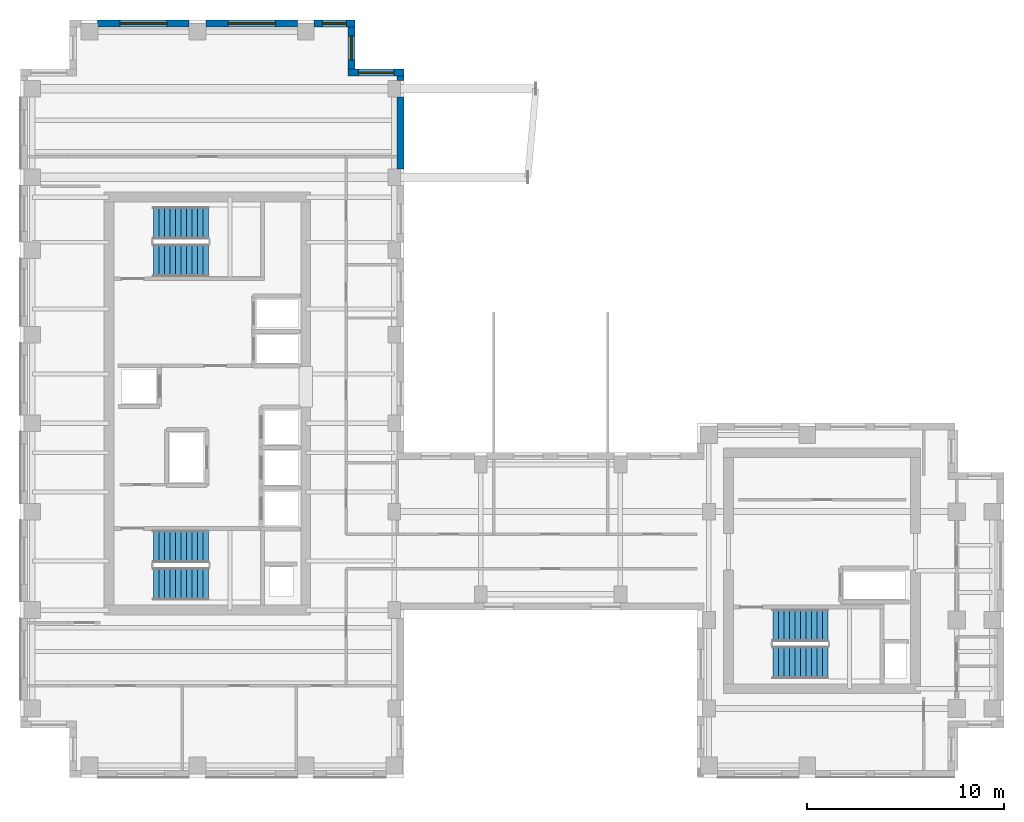
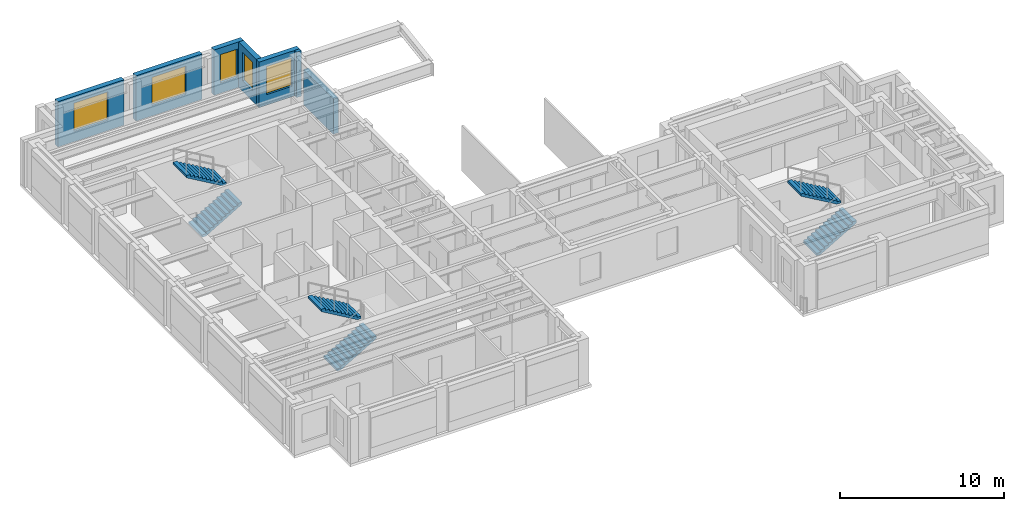
# One storey, part 9 of 11: 7 walls, 6 stair flights, 5 windows, 5 openings, 3 elements without a shape of their own.
"""IFC4 building model written with IfcOpenShell, lengths in metres."""

from ifc_helpers import new_model, si_unit, direction, frame, frame_2d, origin, place, context, subcontext, project, spatial, polyline, rectangle, outline, extrude, source, transform, mapped, material, layer, layer_set, type_object, element, fill, aggregate, save


model = new_model("IFC4")

# Units and contexts
model_context = context("Model", 3, precision=1e-05, world=origin(), true_north=direction((0.0, 1.0)))
body_context = subcontext(model_context, "Body", "Model", "MODEL_VIEW")
ifc_project = project(units=[si_unit("LENGTHUNIT", "METRE"), si_unit("AREAUNIT", "SQUARE_METRE"), si_unit("VOLUMEUNIT", "CUBIC_METRE"), si_unit("PLANEANGLEUNIT", "RADIAN"), si_unit("MASSUNIT", "GRAM", prefix="KILO")], contexts=[model_context])

# Site, building, storey
site_placement = place(None, origin())
site = spatial("IfcSite", under=ifc_project, at=site_placement, CompositionType="ELEMENT")
building_placement = place(site_placement, origin())
building = spatial("IfcBuilding", under=site, at=building_placement, Name="Kharzan Plaza Tower", CompositionType="ELEMENT")
storey_placement = place(building_placement, frame((0.0, 0.0, 234.0)))
storey = spatial("IfcBuildingStorey", under=building, at=storey_placement, Name="L63", CompositionType="ELEMENT", Elevation=234.0)

# Wall, opening, window
ifc_material_1 = material(Name="Concrete C40/50", Category="concrete")
ifc_layer = layer(ifc_material_1, 0.35009765625)
ifc_layer_set = layer_set([ifc_layer], Name="Concrete C40/50")
wall_type = type_object("IfcWallType", Name="WL-EXT-MAS-Z4", PredefinedType="SOLIDWALL", material=ifc_layer_set)
wall_1_placement = place(storey_placement, frame((19.5, 35.824951171875, 0.0), z_axis=(0.0, 0.0, 1.0), x_axis=(-1.0, 0.0, 0.0)))
wall_1 = element("IfcWall", 1, at=wall_1_placement, inside=storey, type_object=wall_type, Name="L63 Masonry-Frame Exterior Wall 07", PredefinedType="SOLIDWALL", context=body_context, shape_type="SweptSolid", body=[
    extrude(rectangle(XDim=2.85009765625, YDim=0.35009765625, at=frame_2d((1.425048828125, 0.0))), origin(), (0.0, 0.0, 1.0), 3.385009765625),
])
opening_1_placement = place(wall_1_placement, frame((0.52490234375, 0.0, 0.780029296875)))
opening_1 = element("IfcOpeningElement", 2, at=opening_1_placement, cuts=wall_1, Name="Opening W1", PredefinedType="OPENING", context=body_context, shape_type="SweptSolid", body=[
    extrude(rectangle(XDim=1.800048828125, YDim=2.10009765625, at=frame_2d((0.89990234375, 1.050048828125))), frame((0.0, 0.18505859375, 0.0), z_axis=(0.0, -1.0, 0.0), x_axis=(1.0, 0.0, 0.0)), (0.0, 0.0, 1.0), 0.3701171875),
])
ifc_material_2 = material(Name="Low-E Double Glazing", Category="glass")
window_type_1 = type_object("IfcWindowType", Name="WN-REC-1800x2100", PartitioningType="SINGLE_PANEL", PredefinedType="WINDOW", material=ifc_material_2)
shared_shape_1 = source(origin(), body_context, "Body", "SweptSolid", [
    extrude(rectangle(XDim=1.800048828125, YDim=2.10009765625, at=frame_2d((0.89990234375, 1.050048828125))), frame((0.0, 0.030029296875, 0.0), z_axis=(0.0, -1.0, 0.0), x_axis=(1.0, 0.0, 0.0)), (0.0, 0.0, 1.0), 0.06005859375),
])
window_1_placement = place(opening_1_placement, origin())
window_1 = element("IfcWindow", 3, at=window_1_placement, inside=storey, type_object=window_type_1, Name="L63 Recessed Solar-Control Window 07-1", OverallHeight=2.10009765625, OverallWidth=1.800048828125, PartitioningType="SINGLE_PANEL", PredefinedType="WINDOW", context=body_context, shape_type="MappedRepresentation", body=[
    mapped(shared_shape_1, transform((0.0, 0.0, 0.0), x_axis=(1.0, 0.0, 0.0), y_axis=(0.0, 1.0, 0.0), z_axis=(0.0, 0.0, 1.0))),
])
fill(opening_1, window_1)

wall_2_placement = place(storey_placement, frame((16.824951171875, 35.998046875, 0.0), z_axis=(0.0, 0.0, 1.0), x_axis=(0.0, 1.0, 0.0)))
wall_2 = element("IfcWall", 4, at=wall_2_placement, inside=storey, type_object=wall_type, Name="L63 Masonry-Frame Exterior Wall 08", PredefinedType="SOLIDWALL", context=body_context, shape_type="SweptSolid", body=[
    extrude(rectangle(XDim=2.154052734375, YDim=0.35009765625, at=frame_2d((1.0771484375, 0.0))), origin(), (0.0, 0.0, 1.0), 3.385009765625),
])
opening_2_placement = place(wall_2_placement, frame((0.47705078125, 0.0, 0.780029296875)))
opening_2 = element("IfcOpeningElement", 5, at=opening_2_placement, cuts=wall_2, Name="Opening W3", PredefinedType="OPENING", context=body_context, shape_type="SweptSolid", body=[
    extrude(rectangle(XDim=1.199951171875, YDim=2.10009765625, at=frame_2d((0.60009765625, 1.050048828125))), frame((0.0, 0.18505859375, 0.0), z_axis=(0.0, -1.0, 0.0), x_axis=(1.0, 0.0, 0.0)), (0.0, 0.0, 1.0), 0.3701171875),
])
window_type_2 = type_object("IfcWindowType", Name="WN-REC-1200x2100", PartitioningType="SINGLE_PANEL", PredefinedType="WINDOW", material=ifc_material_2)
shared_shape_2 = source(origin(), body_context, "Body", "SweptSolid", [
    extrude(rectangle(XDim=1.199951171875, YDim=2.10009765625, at=frame_2d((0.60009765625, 1.050048828125))), frame((0.0, 0.030029296875, 0.0), z_axis=(0.0, -1.0, 0.0), x_axis=(1.0, 0.0, 0.0)), (0.0, 0.0, 1.0), 0.06005859375),
])
window_2_placement = place(opening_2_placement, origin())
window_2 = element("IfcWindow", 6, at=window_2_placement, inside=storey, type_object=window_type_2, Name="L63 Recessed Solar-Control Window 08-1", OverallHeight=2.10009765625, OverallWidth=1.199951171875, PartitioningType="SINGLE_PANEL", PredefinedType="WINDOW", context=body_context, shape_type="MappedRepresentation", body=[
    mapped(shared_shape_2, transform((0.0, 0.0, 0.0), x_axis=(1.0, 0.0, 0.0), y_axis=(0.0, 1.0, 0.0), z_axis=(0.0, 0.0, 1.0))),
])
fill(opening_2, window_2)

wall_3_placement = place(storey_placement, frame((17.0, 38.324951171875, 0.0), z_axis=(0.0, 0.0, 1.0), x_axis=(-1.0, 0.0, 0.0)))
wall_3 = element("IfcWall", 7, at=wall_3_placement, inside=storey, type_object=wall_type, Name="L63 Masonry-Frame Exterior Wall 09", PredefinedType="SOLIDWALL", context=body_context, shape_type="SweptSolid", body=[
    extrude(rectangle(XDim=2.076904296875, YDim=0.35009765625, at=frame_2d((1.03857421875, 0.0))), origin(), (0.0, 0.0, 1.0), 3.385009765625),
])
opening_3_placement = place(wall_3_placement, frame((0.4384765625, 0.0, 0.780029296875)))
opening_3 = element("IfcOpeningElement", 8, at=opening_3_placement, cuts=wall_3, Name="Opening W3", PredefinedType="OPENING", context=body_context, shape_type="SweptSolid", body=[
    extrude(rectangle(XDim=1.199951171875, YDim=2.10009765625, at=frame_2d((0.60009765625, 1.050048828125))), frame((0.0, 0.18505859375, 0.0), z_axis=(0.0, -1.0, 0.0), x_axis=(1.0, 0.0, 0.0)), (0.0, 0.0, 1.0), 0.3701171875),
])
window_3_placement = place(opening_3_placement, origin())
window_3 = element("IfcWindow", 9, at=window_3_placement, inside=storey, type_object=window_type_2, Name="L63 Recessed Solar-Control Window 09-1", OverallHeight=2.10009765625, OverallWidth=1.199951171875, PartitioningType="SINGLE_PANEL", PredefinedType="WINDOW", context=body_context, shape_type="MappedRepresentation", body=[
    mapped(shared_shape_2, transform((0.0, 0.0, 0.0), x_axis=(1.0, 0.0, 0.0), y_axis=(0.0, 1.0, 0.0), z_axis=(0.0, 0.0, 1.0))),
])
fill(opening_3, window_3)

wall_4_placement = place(storey_placement, frame((14.076904296875, 38.324951171875, 0.0), z_axis=(0.0, 0.0, 1.0), x_axis=(-1.0, 0.0, 0.0)))
wall_4 = element("IfcWall", 10, at=wall_4_placement, inside=storey, type_object=wall_type, Name="L63 Masonry-Frame Exterior Wall 10", PredefinedType="SOLIDWALL", context=body_context, shape_type="SweptSolid", body=[
    extrude(rectangle(XDim=4.65380859375, YDim=0.35009765625, at=frame_2d((2.326904296875, 0.0))), origin(), (0.0, 0.0, 1.0), 3.385009765625),
])
opening_4_placement = place(wall_4_placement, frame((1.126953125, 0.0, 0.780029296875)))
opening_4 = element("IfcOpeningElement", 11, at=opening_4_placement, cuts=wall_4, Name="Opening W2", PredefinedType="OPENING", context=body_context, shape_type="SweptSolid", body=[
    extrude(rectangle(XDim=2.39990234375, YDim=2.10009765625, at=frame_2d((1.199951171875, 1.050048828125))), frame((0.0, 0.18505859375, 0.0), z_axis=(0.0, -1.0, 0.0), x_axis=(1.0, 0.0, 0.0)), (0.0, 0.0, 1.0), 0.3701171875),
])
window_type_3 = type_object("IfcWindowType", Name="WN-REC-2400x2100", PartitioningType="SINGLE_PANEL", PredefinedType="WINDOW", material=ifc_material_2)
shared_shape_3 = source(origin(), body_context, "Body", "SweptSolid", [
    extrude(rectangle(XDim=2.39990234375, YDim=2.10009765625, at=frame_2d((1.199951171875, 1.050048828125))), frame((0.0, 0.030029296875, 0.0), z_axis=(0.0, -1.0, 0.0), x_axis=(1.0, 0.0, 0.0)), (0.0, 0.0, 1.0), 0.06005859375),
])
window_4_placement = place(opening_4_placement, origin())
window_4 = element("IfcWindow", 12, at=window_4_placement, inside=storey, type_object=window_type_3, Name="L63 Wide Recessed Solar-Control Window 10-1", OverallHeight=2.10009765625, OverallWidth=2.39990234375, PartitioningType="SINGLE_PANEL", PredefinedType="WINDOW", context=body_context, shape_type="MappedRepresentation", body=[
    mapped(shared_shape_3, transform((0.0, 0.0, 0.0), x_axis=(1.0, 0.0, 0.0), y_axis=(0.0, 1.0, 0.0), z_axis=(0.0, 0.0, 1.0))),
])
fill(opening_4, window_4)

wall_5_placement = place(storey_placement, frame((8.576904296875, 38.324951171875, 0.0), z_axis=(0.0, 0.0, 1.0), x_axis=(-1.0, 0.0, 0.0)))
wall_5 = element("IfcWall", 13, at=wall_5_placement, inside=storey, type_object=wall_type, Name="L63 Masonry-Frame Exterior Wall 11", PredefinedType="SOLIDWALL", context=body_context, shape_type="SweptSolid", body=[
    extrude(rectangle(XDim=4.65380859375, YDim=0.35009765625, at=frame_2d((2.326904296875, 0.0))), origin(), (0.0, 0.0, 1.0), 3.385009765625),
])
opening_5_placement = place(wall_5_placement, frame((1.126953125, 0.0, 0.780029296875)))
opening_5 = element("IfcOpeningElement", 14, at=opening_5_placement, cuts=wall_5, Name="Opening W2", PredefinedType="OPENING", context=body_context, shape_type="SweptSolid", body=[
    extrude(rectangle(XDim=2.39990234375, YDim=2.10009765625, at=frame_2d((1.199951171875, 1.050048828125))), frame((0.0, 0.18505859375, 0.0), z_axis=(0.0, -1.0, 0.0), x_axis=(1.0, 0.0, 0.0)), (0.0, 0.0, 1.0), 0.3701171875),
])
window_5_placement = place(opening_5_placement, origin())
window_5 = element("IfcWindow", 15, at=window_5_placement, inside=storey, type_object=window_type_3, Name="L63 Wide Recessed Solar-Control Window 11-1", OverallHeight=2.10009765625, OverallWidth=2.39990234375, PartitioningType="SINGLE_PANEL", PredefinedType="WINDOW", context=body_context, shape_type="MappedRepresentation", body=[
    mapped(shared_shape_3, transform((0.0, 0.0, 0.0), x_axis=(1.0, 0.0, 0.0), y_axis=(0.0, 1.0, 0.0), z_axis=(0.0, 0.0, 1.0))),
])
fill(opening_5, window_5)

# Walls
shared_shape_4 = source(origin(), body_context, "Body", "SweptSolid", [
    extrude(rectangle(XDim=0.22900390625, YDim=0.35009765625, at=frame_2d((0.114501953125, 0.0))), origin(), (0.0, 0.0, 1.0), 3.385009765625),
])
wall_6_placement = place(storey_placement, frame((19.324951171875, 35.423095703125, 0.0), z_axis=(0.0, 0.0, 1.0), x_axis=(0.0, 1.0, 0.0)))
element("IfcWall", 16, at=wall_6_placement, inside=storey, type_object=wall_type, Name="L63 Masonry-Frame Exterior Wall 06", PredefinedType="SOLIDWALL", context=body_context, shape_type="MappedRepresentation", body=[
    mapped(shared_shape_4, transform((0.0, 0.0, 0.0), x_axis=(1.0, 0.0, 0.0), y_axis=(0.0, 1.0, 0.0), z_axis=(0.0, 0.0, 1.0))),
])
shared_shape_5 = source(origin(), body_context, "Body", "SweptSolid", [
    extrude(rectangle(XDim=3.65380859375, YDim=0.35009765625, at=frame_2d((1.826904296875, 0.0))), origin(), (0.0, 0.0, 1.0), 2.618896484375),
])
wall_7_placement = place(storey_placement, frame((19.324951171875, 30.923095703125, 0.0), z_axis=(0.0, 0.0, 1.0), x_axis=(0.0, 1.0, 0.0)))
element("IfcWall", 17, at=wall_7_placement, inside=storey, type_object=wall_type, Name="L63 Masonry-Frame Exterior Wall 05", PredefinedType="SOLIDWALL", context=body_context, shape_type="MappedRepresentation", body=[
    mapped(shared_shape_5, transform((0.0, 0.0, 0.0), x_axis=(1.0, 0.0, 0.0), y_axis=(0.0, 1.0, 0.0), z_axis=(0.0, 0.0, 1.0))),
])

# Stair, stair flights
stair_type_1 = type_object("IfcStairType", Name="STR-ST-1", PredefinedType="HALF_TURN_STAIR", material=ifc_material_1)
stair_1_placement = place(storey_placement, origin())
stair_1 = element("IfcStair", 18, at=stair_1_placement, inside=storey, type_object=stair_type_1, Name="L63 Protected Exit Stair ST-1", PredefinedType="HALF_TURN_STAIR")
stair_flight_type = type_object("IfcStairFlightType", Name="SFL-1650-R173", PredefinedType="STRAIGHT", material=ifc_material_1)
shared_shape_6 = source(origin(), body_context, "Body", "SweptSolid", [
    extrude(outline(polyline([(-0.0029296875, -0.011962890625), (-0.0029296875, 0.0), (0.0, 0.0), (0.0, 0.16357421875), (0.280029296875, 0.16357421875), (0.280029296875, 0.3271484375), (0.56005859375, 0.3271484375), (0.56005859375, 0.49072265625), (0.840087890625, 0.49072265625), (0.840087890625, 0.654296875), (1.1201171875, 0.654296875), (1.1201171875, 0.81787109375), (1.400146484375, 0.81787109375), (1.400146484375, 0.9814453125), (1.68017578125, 0.9814453125), (1.68017578125, 1.14501953125), (1.960205078125, 1.14501953125), (1.960205078125, 1.30859375), (2.240234375, 1.30859375), (2.240234375, 1.47216796875), (2.520263671875, 1.47216796875), (2.520263671875, 1.6357421875), (2.80029296875, 1.6357421875), (2.80029296875, 1.79931640625), (2.80029296875, 1.462158203125), (0.297119140625, 0.0), (0.297119140625, -0.011962890625), (-0.0029296875, -0.011962890625)])), frame((0.0, 0.824951171875, 0.0), z_axis=(0.0, -1.0, 0.0), x_axis=(1.0, 0.0, 0.0)), (0.0, 0.0, 1.0), 1.64990234375),
])
stair_flight_1_placement = place(storey_placement, frame((6.75, 9.824951171875, 0.0), z_axis=(0.0, 0.0, 1.0), x_axis=(1.0, 0.0, 0.0)))
stair_flight_1 = element("IfcStairFlight", 19, at=stair_flight_1_placement, type_object=stair_flight_type, Name="ST-1 flight 1", NumberOfRisers=11, NumberOfTreads=10, PredefinedType="STRAIGHT", RiserHeight=0.163636364, TreadLength=0.28, context=body_context, shape_type="MappedRepresentation", body=[
    mapped(shared_shape_6, transform((0.0, 0.0, 0.0), x_axis=(1.0, 0.0, 0.0), y_axis=(0.0, 1.0, 0.0), z_axis=(0.0, 0.0, 1.0))),
])
stair_flight_2_placement = place(storey_placement, frame((9.550048828125, 11.72509765625, 1.800048828125), z_axis=(0.0, 0.0, 1.0), x_axis=(-1.0, 0.0, 0.0)))
stair_flight_2 = element("IfcStairFlight", 20, at=stair_flight_2_placement, type_object=stair_flight_type, Name="ST-1 flight 2", NumberOfRisers=11, NumberOfTreads=10, PredefinedType="STRAIGHT", RiserHeight=0.163636364, TreadLength=0.28, context=body_context, shape_type="MappedRepresentation", body=[
    mapped(shared_shape_6, transform((0.0, 0.0, 0.0), x_axis=(1.0, 0.0, 0.0), y_axis=(0.0, 1.0, 0.0), z_axis=(0.0, 0.0, 1.0))),
])
aggregate(stair_1, [stair_flight_1, stair_flight_2])

stair_type_2 = type_object("IfcStairType", Name="STR-ST-2", PredefinedType="HALF_TURN_STAIR", material=ifc_material_1)
stair_2_placement = place(storey_placement, origin())
stair_2 = element("IfcStair", 21, at=stair_2_placement, inside=storey, type_object=stair_type_2, Name="L63 Protected Exit Stair ST-2", PredefinedType="HALF_TURN_STAIR")
stair_flight_3_placement = place(storey_placement, frame((6.75, 26.27490234375, 0.0), z_axis=(0.0, 0.0, 1.0), x_axis=(1.0, 0.0, 0.0)))
stair_flight_3 = element("IfcStairFlight", 22, at=stair_flight_3_placement, type_object=stair_flight_type, Name="ST-2 flight 1", NumberOfRisers=11, NumberOfTreads=10, PredefinedType="STRAIGHT", RiserHeight=0.163636364, TreadLength=0.28, context=body_context, shape_type="MappedRepresentation", body=[
    mapped(shared_shape_6, transform((0.0, 0.0, 0.0), x_axis=(1.0, 0.0, 0.0), y_axis=(0.0, 1.0, 0.0), z_axis=(0.0, 0.0, 1.0))),
])
stair_flight_4_placement = place(storey_placement, frame((9.550048828125, 28.175048828125, 1.800048828125), z_axis=(0.0, 0.0, 1.0), x_axis=(-1.0, 0.0, 0.0)))
stair_flight_4 = element("IfcStairFlight", 23, at=stair_flight_4_placement, type_object=stair_flight_type, Name="ST-2 flight 2", NumberOfRisers=11, NumberOfTreads=10, PredefinedType="STRAIGHT", RiserHeight=0.163636364, TreadLength=0.28, context=body_context, shape_type="MappedRepresentation", body=[
    mapped(shared_shape_6, transform((0.0, 0.0, 0.0), x_axis=(1.0, 0.0, 0.0), y_axis=(0.0, 1.0, 0.0), z_axis=(0.0, 0.0, 1.0))),
])
aggregate(stair_2, [stair_flight_3, stair_flight_4])

stair_type_3 = type_object("IfcStairType", Name="STR-ST-3", PredefinedType="HALF_TURN_STAIR", material=ifc_material_1)
stair_3_placement = place(storey_placement, origin())
stair_3 = element("IfcStair", 24, at=stair_3_placement, inside=storey, type_object=stair_type_3, Name="L63 Protected Exit Stair ST-3", PredefinedType="HALF_TURN_STAIR")
stair_flight_5_placement = place(storey_placement, frame((38.25, 5.824951171875, 0.0), z_axis=(0.0, 0.0, 1.0), x_axis=(1.0, 0.0, 0.0)))
stair_flight_5 = element("IfcStairFlight", 25, at=stair_flight_5_placement, type_object=stair_flight_type, Name="ST-3 flight 1", NumberOfRisers=11, NumberOfTreads=10, PredefinedType="STRAIGHT", RiserHeight=0.163636364, TreadLength=0.28, context=body_context, shape_type="MappedRepresentation", body=[
    mapped(shared_shape_6, transform((0.0, 0.0, 0.0), x_axis=(1.0, 0.0, 0.0), y_axis=(0.0, 1.0, 0.0), z_axis=(0.0, 0.0, 1.0))),
])
stair_flight_6_placement = place(storey_placement, frame((41.050048828125, 7.72509765625, 1.800048828125), z_axis=(0.0, 0.0, 1.0), x_axis=(-1.0, 0.0, 0.0)))
stair_flight_6 = element("IfcStairFlight", 26, at=stair_flight_6_placement, type_object=stair_flight_type, Name="ST-3 flight 2", NumberOfRisers=11, NumberOfTreads=10, PredefinedType="STRAIGHT", RiserHeight=0.163636364, TreadLength=0.28, context=body_context, shape_type="MappedRepresentation", body=[
    mapped(shared_shape_6, transform((0.0, 0.0, 0.0), x_axis=(1.0, 0.0, 0.0), y_axis=(0.0, 1.0, 0.0), z_axis=(0.0, 0.0, 1.0))),
])
aggregate(stair_3, [stair_flight_5, stair_flight_6])

save(model, "model.ifc")
